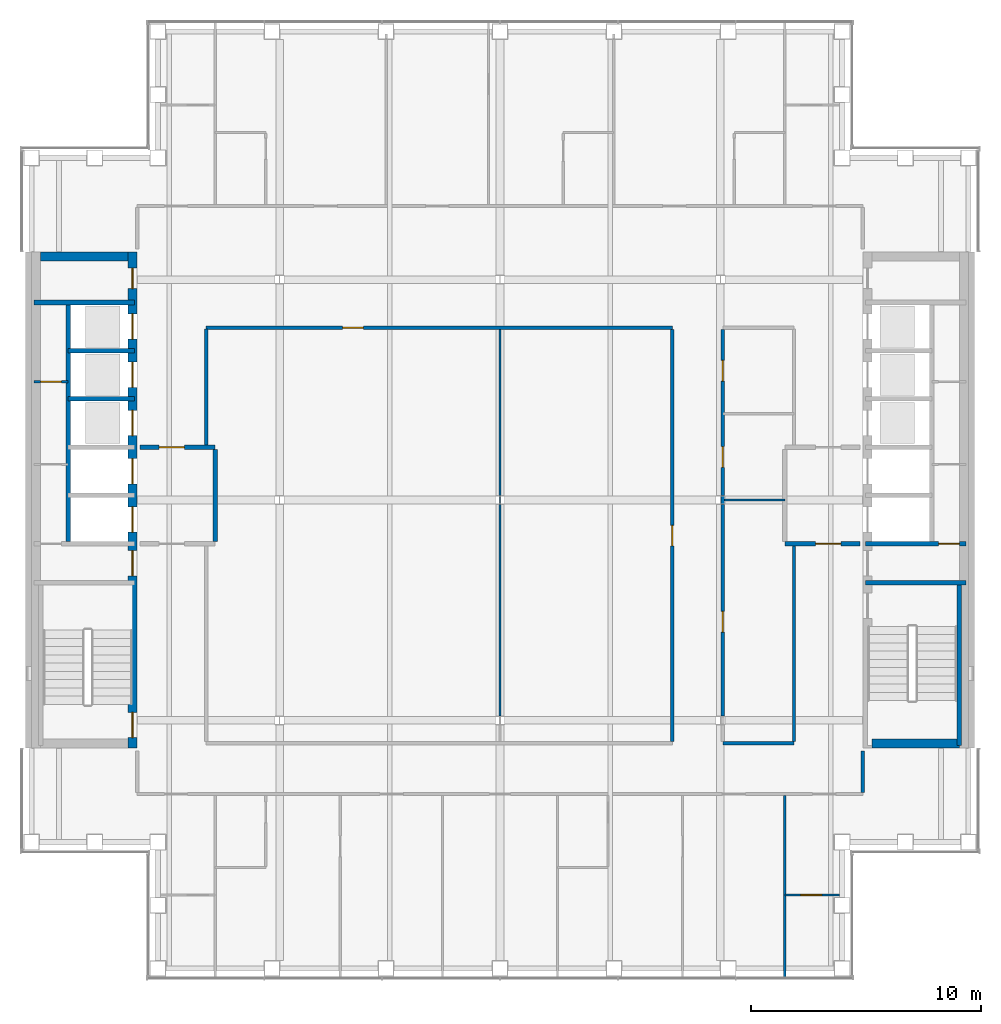
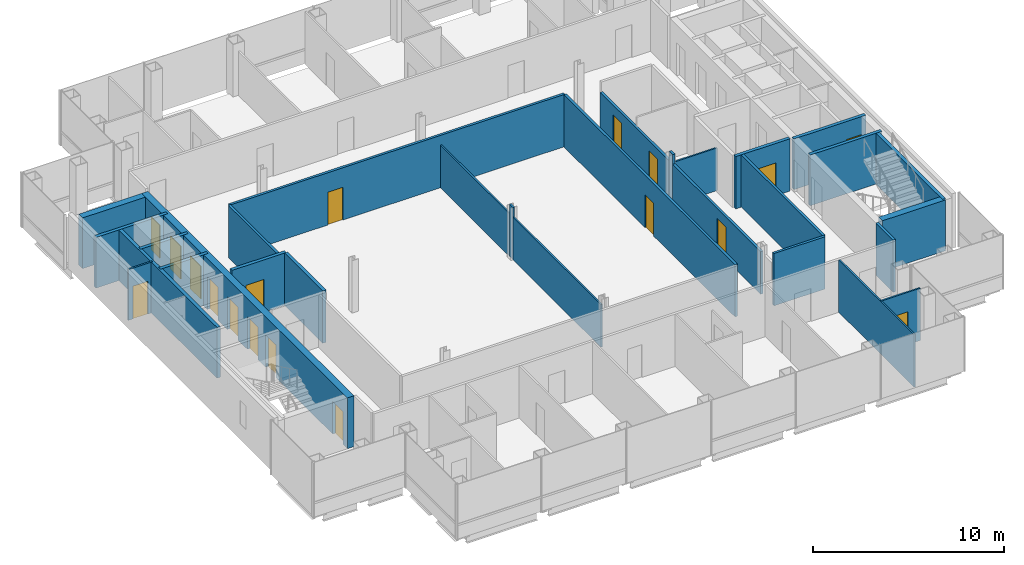
# One storey, part 11 of 15: 29 walls, 18 doors, 18 openings.
"""IFC4 building model written with IfcOpenShell, lengths in metres."""

from ifc_helpers import new_model, si_unit, direction, frame, frame_2d, origin, place, context, subcontext, project, spatial, rectangle, extrude, material, layer, layer_set, type_object, element, fill, save


model = new_model("IFC4")

# Units and contexts
model_context = context("Model", 3, precision=1e-05, world=origin(), true_north=direction((0.0, 1.0)))
body_context = subcontext(model_context, "Body", "Model", "MODEL_VIEW")
ifc_project = project(units=[si_unit("LENGTHUNIT", "METRE"), si_unit("AREAUNIT", "SQUARE_METRE"), si_unit("VOLUMEUNIT", "CUBIC_METRE"), si_unit("PLANEANGLEUNIT", "RADIAN"), si_unit("MASSUNIT", "GRAM", prefix="KILO")], contexts=[model_context])

# Site, building, storey
site_placement = place(None, origin())
site = spatial("IfcSite", under=ifc_project, at=site_placement, CompositionType="ELEMENT")
building_placement = place(site_placement, origin())
building = spatial("IfcBuilding", under=site, at=building_placement, Name="Cobrizo Arcos Hotel Tower", CompositionType="ELEMENT")
storey_placement = place(building_placement, frame((0.0, 0.0, 194.5)))
storey = spatial("IfcBuildingStorey", under=building, at=storey_placement, Name="L50", CompositionType="ELEMENT", Elevation=194.5)

# Wall
ifc_material_1 = material(Name="Gypsum board partition")
ifc_layer_1 = layer(ifc_material_1, 0.14990234375)
ifc_layer_set_1 = layer_set([ifc_layer_1], Name="Corridor wall EI 60 150")
wall_type_1 = type_object("IfcWallType", Name="Corridor wall EI 60 150", PredefinedType="PARTITIONING", material=ifc_layer_set_1)
wall_1_placement = place(storey_placement, frame((9.699951171875, -10.60009765625, 0.0), z_axis=(0.0, 0.0, 1.0), x_axis=(1.0, 0.0, 0.0)))
element("IfcWall", 1, at=wall_1_placement, inside=storey, type_object=wall_type_1, Name="Partition 007", PredefinedType="PARTITIONING", context=body_context, shape_type="SweptSolid", body=[
    extrude(rectangle(XDim=3.10009765625, YDim=0.14990234375, at=frame_2d((1.550048828125, 0.0))), origin(), (0.0, 0.0, 1.0), 3.35009765625),
])

# Wall, opening, door
wall_2_placement = place(storey_placement, frame((-12.800048828125, 7.5, 0.0), z_axis=(0.0, 0.0, 1.0), x_axis=(1.0, 0.0, 0.0)))
wall_2 = element("IfcWall", 2, at=wall_2_placement, inside=storey, type_object=wall_type_1, Name="Partition 030", PredefinedType="PARTITIONING", context=body_context, shape_type="SweptSolid", body=[
    extrude(rectangle(XDim=20.300048828125, YDim=0.14990234375, at=frame_2d((10.14990234375, 0.0))), origin(), (0.0, 0.0, 1.0), 3.35009765625),
])
opening_1_placement = place(wall_2_placement, frame((5.949951171875, 0.0, 0.0)))
opening_1 = element("IfcOpeningElement", 3, at=opening_1_placement, cuts=wall_2, Name="Opening RD-15", PredefinedType="OPENING", context=body_context, shape_type="SweptSolid", body=[
    extrude(rectangle(XDim=0.89990234375, YDim=2.10009765625, at=frame_2d((0.449951171875, 1.050048828125))), frame((0.0, 0.0869140625, 0.0), z_axis=(0.0, -1.0, 0.0), x_axis=(1.0, 0.0, 0.0)), (0.0, 0.0, 1.0), 0.173828125),
])
ifc_material_2 = material(Name="Timber door leaf", Category="wood")
door_type_1 = type_object("IfcDoorType", Name="Room door FD30 900x2100", OperationType="SINGLE_SWING_LEFT", PredefinedType="DOOR", material=ifc_material_2)
door_1_placement = place(opening_1_placement, origin())
door_1 = element("IfcDoor", 4, at=door_1_placement, inside=storey, type_object=door_type_1, Name="Door RD-15", OperationType="SINGLE_SWING_RIGHT", OverallHeight=2.10009765625, OverallWidth=0.89990234375, PredefinedType="DOOR", context=body_context, shape_type="SweptSolid", body=[
    extrude(rectangle(XDim=0.89990234375, YDim=2.10009765625, at=frame_2d((0.449951171875, 1.050048828125))), frame((0.0, 0.02490234375, 0.0), z_axis=(0.0, -1.0, 0.0), x_axis=(1.0, 0.0, 0.0)), (0.0, 0.0, 1.0), 0.050048828125),
])
fill(opening_1, door_1)

# Wall
wall_3_placement = place(storey_placement, frame((-12.800048828125, 2.39990234375, 0.0), z_axis=(0.0, 0.0, 1.0), x_axis=(0.0, 1.0, 0.0)))
element("IfcWall", 5, at=wall_3_placement, inside=storey, type_object=wall_type_1, Name="Partition 045", PredefinedType="PARTITIONING", context=body_context, shape_type="SweptSolid", body=[
    extrude(rectangle(XDim=5.050048828125, YDim=0.14990234375, at=frame_2d((2.52490234375, 0.0))), origin(), (0.0, 0.0, 1.0), 3.35009765625),
])

# Wall, opening, door
wall_4_placement = place(storey_placement, frame((7.5, -10.52490234375, 0.0), z_axis=(0.0, 0.0, 1.0), x_axis=(0.0, 1.0, 0.0)))
wall_4 = element("IfcWall", 6, at=wall_4_placement, inside=storey, type_object=wall_type_1, Name="Partition 064", PredefinedType="PARTITIONING", context=body_context, shape_type="SweptSolid", body=[
    extrude(rectangle(XDim=17.949951171875, YDim=0.14990234375, at=frame_2d((8.97509765625, 0.0))), origin(), (0.0, 0.0, 1.0), 3.35009765625),
])
opening_2_placement = place(wall_4_placement, frame((8.52490234375, 0.0, 0.0)))
opening_2 = element("IfcOpeningElement", 7, at=opening_2_placement, cuts=wall_4, Name="Opening RD-14", PredefinedType="OPENING", context=body_context, shape_type="SweptSolid", body=[
    extrude(rectangle(XDim=0.89990234375, YDim=2.10009765625, at=frame_2d((0.449951171875, 1.050048828125))), frame((0.0, 0.0869140625, 0.0), z_axis=(0.0, -1.0, 0.0), x_axis=(1.0, 0.0, 0.0)), (0.0, 0.0, 1.0), 0.173828125),
])
door_2_placement = place(opening_2_placement, origin())
door_2 = element("IfcDoor", 8, at=door_2_placement, inside=storey, type_object=door_type_1, Name="Door RD-14", OperationType="SINGLE_SWING_RIGHT", OverallHeight=2.10009765625, OverallWidth=0.89990234375, PredefinedType="DOOR", context=body_context, shape_type="SweptSolid", body=[
    extrude(rectangle(XDim=0.89990234375, YDim=2.10009765625, at=frame_2d((0.449951171875, 1.050048828125))), frame((0.0, 0.02490234375, 0.0), z_axis=(0.0, -1.0, 0.0), x_axis=(1.0, 0.0, 0.0)), (0.0, 0.0, 1.0), 0.050048828125),
])
fill(opening_2, door_2)

wall_5_placement = place(storey_placement, frame((9.699951171875, -9.4130859375, 0.0), z_axis=(0.0, 0.0, 1.0), x_axis=(0.0, 1.0, 0.0)))
wall_5 = element("IfcWall", 9, at=wall_5_placement, inside=storey, type_object=wall_type_1, Name="Partition 068", PredefinedType="PARTITIONING", context=body_context, shape_type="SweptSolid", body=[
    extrude(rectangle(XDim=9.22607421875, YDim=0.14990234375, at=frame_2d((4.613037109375, 0.0))), origin(), (0.0, 0.0, 1.0), 2.72802734375),
])
opening_3_placement = place(wall_5_placement, frame((3.6630859375, 0.0, 0.0)))
opening_3 = element("IfcOpeningElement", 10, at=opening_3_placement, cuts=wall_5, Name="Opening RD-13", PredefinedType="OPENING", context=body_context, shape_type="SweptSolid", body=[
    extrude(rectangle(XDim=0.89990234375, YDim=2.10009765625, at=frame_2d((0.449951171875, 1.050048828125))), frame((0.0, 0.0869140625, 0.0), z_axis=(0.0, -1.0, 0.0), x_axis=(1.0, 0.0, 0.0)), (0.0, 0.0, 1.0), 0.173828125),
])
door_3_placement = place(opening_3_placement, origin())
door_3 = element("IfcDoor", 11, at=door_3_placement, inside=storey, type_object=door_type_1, Name="Door RD-13", OperationType="SINGLE_SWING_LEFT", OverallHeight=2.10009765625, OverallWidth=0.89990234375, PredefinedType="DOOR", context=body_context, shape_type="SweptSolid", body=[
    extrude(rectangle(XDim=0.89990234375, YDim=2.10009765625, at=frame_2d((0.449951171875, 1.050048828125))), frame((0.0, 0.02490234375, 0.0), z_axis=(0.0, -1.0, 0.0), x_axis=(1.0, 0.0, 0.0)), (0.0, 0.0, 1.0), 0.050048828125),
])
fill(opening_3, door_3)

# Wall
wall_6_placement = place(storey_placement, frame((9.699951171875, -0.18701171875, 0.0), z_axis=(0.0, 0.0, 1.0), x_axis=(0.0, 1.0, 0.0)))
element("IfcWall", 12, at=wall_6_placement, inside=storey, type_object=wall_type_1, Name="Partition 069", PredefinedType="PARTITIONING", context=body_context, shape_type="SweptSolid", body=[
    extrude(rectangle(XDim=0.3740234375, YDim=0.14990234375, at=frame_2d((0.18701171875, 0.0))), origin(), (0.0, 0.0, 1.0), 3.35009765625),
])

# Wall, openings, doors
wall_7_placement = place(storey_placement, frame((9.699951171875, 0.18701171875, 0.0), z_axis=(0.0, 0.0, 1.0), x_axis=(0.0, 1.0, 0.0)))
wall_7 = element("IfcWall", 13, at=wall_7_placement, inside=storey, type_object=wall_type_1, Name="Partition 070", PredefinedType="PARTITIONING", context=body_context, shape_type="SweptSolid", body=[
    extrude(rectangle(XDim=7.238037109375, YDim=0.14990234375, at=frame_2d((3.619140625, 0.0))), origin(), (0.0, 0.0, 1.0), 2.72802734375),
])
opening_4_placement = place(wall_7_placement, frame((1.238037109375, 0.0, 0.0)))
opening_4 = element("IfcOpeningElement", 14, at=opening_4_placement, cuts=wall_7, Name="Opening ED-10", PredefinedType="OPENING", context=body_context, shape_type="SweptSolid", body=[
    extrude(rectangle(XDim=0.89990234375, YDim=2.10009765625, at=frame_2d((0.449951171875, 1.050048828125))), frame((0.0, 0.0869140625, 0.0), z_axis=(0.0, -1.0, 0.0), x_axis=(1.0, 0.0, 0.0)), (0.0, 0.0, 1.0), 0.173828125),
])
opening_5_placement = place(wall_7_placement, frame((4.988037109375, 0.0, 0.0)))
opening_5 = element("IfcOpeningElement", 15, at=opening_5_placement, cuts=wall_7, Name="Opening ED-11", PredefinedType="OPENING", context=body_context, shape_type="SweptSolid", body=[
    extrude(rectangle(XDim=0.89990234375, YDim=2.10009765625, at=frame_2d((0.449951171875, 1.050048828125))), frame((0.0, 0.0869140625, 0.0), z_axis=(0.0, -1.0, 0.0), x_axis=(1.0, 0.0, 0.0)), (0.0, 0.0, 1.0), 0.173828125),
])
door_type_2 = type_object("IfcDoorType", Name="En-suite door 900x2100", OperationType="SINGLE_SWING_LEFT", PredefinedType="DOOR", material=ifc_material_2)
door_4_placement = place(opening_4_placement, origin())
door_4 = element("IfcDoor", 16, at=door_4_placement, inside=storey, type_object=door_type_2, Name="Door ED-10", OperationType="SINGLE_SWING_RIGHT", OverallHeight=2.10009765625, OverallWidth=0.89990234375, PredefinedType="DOOR", context=body_context, shape_type="SweptSolid", body=[
    extrude(rectangle(XDim=0.89990234375, YDim=2.10009765625, at=frame_2d((0.449951171875, 1.050048828125))), frame((0.0, 0.02490234375, 0.0), z_axis=(0.0, -1.0, 0.0), x_axis=(1.0, 0.0, 0.0)), (0.0, 0.0, 1.0), 0.050048828125),
])
fill(opening_4, door_4)
door_5_placement = place(opening_5_placement, origin())
door_5 = element("IfcDoor", 17, at=door_5_placement, inside=storey, type_object=door_type_2, Name="Door ED-11", OperationType="SINGLE_SWING_LEFT", OverallHeight=2.10009765625, OverallWidth=0.89990234375, PredefinedType="DOOR", context=body_context, shape_type="SweptSolid", body=[
    extrude(rectangle(XDim=0.89990234375, YDim=2.10009765625, at=frame_2d((0.449951171875, 1.050048828125))), frame((0.0, 0.02490234375, 0.0), z_axis=(0.0, -1.0, 0.0), x_axis=(1.0, 0.0, 0.0)), (0.0, 0.0, 1.0), 0.050048828125),
])
fill(opening_5, door_5)

# Walls
wall_8_placement = place(storey_placement, frame((12.800048828125, -10.52490234375, 0.0), z_axis=(0.0, 0.0, 1.0), x_axis=(0.0, 1.0, 0.0)))
element("IfcWall", 18, at=wall_8_placement, inside=storey, type_object=wall_type_1, Name="Partition 075", PredefinedType="PARTITIONING", context=body_context, shape_type="SweptSolid", body=[
    extrude(rectangle(XDim=8.52490234375, YDim=0.14990234375, at=frame_2d((4.262451171875, 0.0))), origin(), (0.0, 0.0, 1.0), 3.35009765625),
])
wall_9_placement = place(storey_placement, frame((15.800048828125, -12.72509765625, 0.0), z_axis=(0.0, 0.0, 1.0), x_axis=(0.0, 1.0, 0.0)))
element("IfcWall", 19, at=wall_9_placement, inside=storey, type_object=wall_type_1, Name="Partition 077", PredefinedType="PARTITIONING", context=body_context, shape_type="SweptSolid", body=[
    extrude(rectangle(XDim=1.80517578125, YDim=0.14990234375, at=frame_2d((0.902587890625, 0.0))), origin(), (0.0, 0.0, 1.0), 3.35009765625),
])

# Wall, opening, door
ifc_layer_2 = layer(ifc_material_1, 0.10009765625)
ifc_layer_set_2 = layer_set([ifc_layer_2], Name="Partition EI 30 100")
wall_type_2 = type_object("IfcWallType", Name="Partition EI 30 100", PredefinedType="PARTITIONING", material=ifc_layer_set_2)
wall_10_placement = place(storey_placement, frame((12.39990234375, -17.199951171875, 0.0), z_axis=(0.0, 0.0, 1.0), x_axis=(1.0, 0.0, 0.0)))
wall_10 = element("IfcWall", 20, at=wall_10_placement, inside=storey, type_object=wall_type_2, Name="Partition 002", PredefinedType="PARTITIONING", context=body_context, shape_type="SweptSolid", body=[
    extrude(rectangle(XDim=2.380126953125, YDim=0.10009765625, at=frame_2d((1.18994140625, 0.0))), origin(), (0.0, 0.0, 1.0), 3.35009765625),
])
opening_6_placement = place(wall_10_placement, frame((0.705078125, 0.0, 0.0)))
opening_6 = element("IfcOpeningElement", 21, at=opening_6_placement, cuts=wall_10, Name="Opening ED-08", PredefinedType="OPENING", context=body_context, shape_type="SweptSolid", body=[
    extrude(rectangle(XDim=0.89990234375, YDim=2.10009765625, at=frame_2d((0.449951171875, 1.050048828125))), frame((0.0, 0.06201171875, 0.0), z_axis=(0.0, -1.0, 0.0), x_axis=(1.0, 0.0, 0.0)), (0.0, 0.0, 1.0), 0.1240234375),
])
door_6_placement = place(opening_6_placement, origin())
door_6 = element("IfcDoor", 22, at=door_6_placement, inside=storey, type_object=door_type_2, Name="Door ED-08", OperationType="SINGLE_SWING_RIGHT", OverallHeight=2.10009765625, OverallWidth=0.89990234375, PredefinedType="DOOR", context=body_context, shape_type="SweptSolid", body=[
    extrude(rectangle(XDim=0.89990234375, YDim=2.10009765625, at=frame_2d((0.449951171875, 1.050048828125))), frame((0.0, 0.02490234375, 0.0), z_axis=(0.0, -1.0, 0.0), x_axis=(1.0, 0.0, 0.0)), (0.0, 0.0, 1.0), 0.050048828125),
])
fill(opening_6, door_6)

# Wall
wall_11_placement = place(storey_placement, frame((9.699951171875, 0.0, 0.0), z_axis=(0.0, 0.0, 1.0), x_axis=(1.0, 0.0, 0.0)))
element("IfcWall", 23, at=wall_11_placement, inside=storey, type_object=wall_type_2, Name="Partition 014", PredefinedType="PARTITIONING", context=body_context, shape_type="SweptSolid", body=[
    extrude(rectangle(XDim=2.699951171875, YDim=0.10009765625, at=frame_2d((1.35009765625, 0.0))), origin(), (0.0, 0.0, 1.0), 2.72802734375),
])

# Wall, opening, door
wall_12_placement = place(storey_placement, frame((-20.280029296875, 5.14990234375, 0.0), z_axis=(0.0, 0.0, 1.0), x_axis=(1.0, 0.0, 0.0)))
wall_12 = element("IfcWall", 24, at=wall_12_placement, inside=storey, type_object=wall_type_2, Name="Partition 026", PredefinedType="PARTITIONING", context=body_context, shape_type="SweptSolid", body=[
    extrude(rectangle(XDim=1.47998046875, YDim=0.10009765625, at=frame_2d((0.739990234375, 0.0))), origin(), (0.0, 0.0, 1.0), 3.25),
])
opening_7_placement = place(wall_12_placement, frame((0.280029296875, 0.0, 0.0)))
opening_7 = element("IfcOpeningElement", 25, at=opening_7_placement, cuts=wall_12, Name="Opening RD-04", PredefinedType="OPENING", context=body_context, shape_type="SweptSolid", body=[
    extrude(rectangle(XDim=0.89990234375, YDim=2.10009765625, at=frame_2d((0.449951171875, 1.050048828125))), frame((0.0, 0.06201171875, 0.0), z_axis=(0.0, -1.0, 0.0), x_axis=(1.0, 0.0, 0.0)), (0.0, 0.0, 1.0), 0.1240234375),
])
door_7_placement = place(opening_7_placement, origin())
door_7 = element("IfcDoor", 26, at=door_7_placement, inside=storey, type_object=door_type_1, Name="Door RD-04", OperationType="SINGLE_SWING_RIGHT", OverallHeight=2.10009765625, OverallWidth=0.89990234375, PredefinedType="DOOR", context=body_context, shape_type="SweptSolid", body=[
    extrude(rectangle(XDim=0.89990234375, YDim=2.10009765625, at=frame_2d((0.449951171875, 1.050048828125))), frame((0.0, 0.02490234375, 0.0), z_axis=(0.0, -1.0, 0.0), x_axis=(1.0, 0.0, 0.0)), (0.0, 0.0, 1.0), 0.050048828125),
])
fill(opening_7, door_7)

# Walls
wall_13_placement = place(storey_placement, frame((0.0, -9.4130859375, 0.0), z_axis=(0.0, 0.0, 1.0), x_axis=(0.0, 1.0, 0.0)))
element("IfcWall", 27, at=wall_13_placement, inside=storey, type_object=wall_type_2, Name="Partition 057", PredefinedType="PARTITIONING", context=body_context, shape_type="SweptSolid", body=[
    extrude(rectangle(XDim=9.22607421875, YDim=0.10009765625, at=frame_2d((4.613037109375, 0.0))), origin(), (0.0, 0.0, 1.0), 2.72802734375),
])
wall_14_placement = place(storey_placement, frame((0.0, -0.18701171875, 0.0), z_axis=(0.0, 0.0, 1.0), x_axis=(0.0, 1.0, 0.0)))
element("IfcWall", 28, at=wall_14_placement, inside=storey, type_object=wall_type_2, Name="Partition 058", PredefinedType="PARTITIONING", context=body_context, shape_type="SweptSolid", body=[
    extrude(rectangle(XDim=0.3740234375, YDim=0.10009765625, at=frame_2d((0.18701171875, 0.0))), origin(), (0.0, 0.0, 1.0), 3.35009765625),
])
wall_15_placement = place(storey_placement, frame((0.0, 0.18701171875, 0.0), z_axis=(0.0, 0.0, 1.0), x_axis=(0.0, 1.0, 0.0)))
element("IfcWall", 29, at=wall_15_placement, inside=storey, type_object=wall_type_2, Name="Partition 059", PredefinedType="PARTITIONING", context=body_context, shape_type="SweptSolid", body=[
    extrude(rectangle(XDim=7.238037109375, YDim=0.10009765625, at=frame_2d((3.619140625, 0.0))), origin(), (0.0, 0.0, 1.0), 2.72802734375),
])
wall_16_placement = place(storey_placement, frame((12.39990234375, -20.780029296875, 0.0), z_axis=(0.0, 0.0, 1.0), x_axis=(0.0, 1.0, 0.0)))
element("IfcWall", 30, at=wall_16_placement, inside=storey, type_object=wall_type_2, Name="Partition 072", PredefinedType="PARTITIONING", context=body_context, shape_type="SweptSolid", body=[
    extrude(rectangle(XDim=7.905029296875, YDim=0.10009765625, at=frame_2d((3.95263671875, 0.0))), origin(), (0.0, 0.0, 1.0), 3.35009765625),
])
ifc_material_3 = material(Name="Concrete f'c 40 MPa", Category="concrete")
ifc_layer_3 = layer(ifc_material_3, 0.39990234375)
ifc_layer_set_3 = layer_set([ifc_layer_3], Name="RC core wall 400 f'c 40")
wall_type_3 = type_object("IfcWallType", Name="RC core wall 400 f'c 40", PredefinedType="SHEAR", material=ifc_layer_set_3)
wall_17_placement = place(storey_placement, frame((16.199951171875, -10.60009765625, 0.0), z_axis=(0.0, 0.0, 1.0), x_axis=(1.0, 0.0, 0.0)))
element("IfcWall", 31, at=wall_17_placement, inside=storey, type_object=wall_type_3, Name="Core wall CW4, east core, south end, L50", PredefinedType="SHEAR", context=body_context, shape_type="SweptSolid", body=[
    extrude(rectangle(XDim=3.800048828125, YDim=0.39990234375, at=frame_2d((1.89990234375, 0.0))), origin(), (0.0, 0.0, 1.0), 3.25),
])

# Wall, openings, doors
wall_18_placement = place(storey_placement, frame((-16.0, -10.800048828125, 0.0), z_axis=(0.0, 0.0, 1.0), x_axis=(0.0, 1.0, 0.0)))
wall_18 = element("IfcWall", 32, at=wall_18_placement, inside=storey, type_object=wall_type_3, Name="Core wall CW4, west core, inner face, L50", PredefinedType="SHEAR", context=body_context, shape_type="SweptSolid", body=[
    extrude(rectangle(XDim=21.60009765625, YDim=0.39990234375, at=frame_2d((10.800048828125, 0.0))), origin(), (0.0, 0.0, 1.0), 3.25),
])
opening_8_placement = place(wall_18_placement, frame((9.39990234375, 0.0, 0.0)))
opening_8 = element("IfcOpeningElement", 33, at=opening_8_placement, cuts=wall_18, Name="Opening LD-01", PredefinedType="OPENING", context=body_context, shape_type="SweptSolid", body=[
    extrude(rectangle(XDim=1.10009765625, YDim=2.10009765625, at=frame_2d((0.550048828125, 1.050048828125))), frame((0.0, 0.2119140625, 0.0), z_axis=(0.0, -1.0, 0.0), x_axis=(1.0, 0.0, 0.0)), (0.0, 0.0, 1.0), 0.423828125),
])
opening_9_placement = place(wall_18_placement, frame((11.5, 0.0, 0.0)))
opening_9 = element("IfcOpeningElement", 34, at=opening_9_placement, cuts=wall_18, Name="Opening LD-02", PredefinedType="OPENING", context=body_context, shape_type="SweptSolid", body=[
    extrude(rectangle(XDim=1.10009765625, YDim=2.10009765625, at=frame_2d((0.550048828125, 1.050048828125))), frame((0.0, 0.2119140625, 0.0), z_axis=(0.0, -1.0, 0.0), x_axis=(1.0, 0.0, 0.0)), (0.0, 0.0, 1.0), 0.423828125),
])
opening_10_placement = place(wall_18_placement, frame((13.60009765625, 0.0, 0.0)))
opening_10 = element("IfcOpeningElement", 35, at=opening_10_placement, cuts=wall_18, Name="Opening LD-03", PredefinedType="OPENING", context=body_context, shape_type="SweptSolid", body=[
    extrude(rectangle(XDim=1.10009765625, YDim=2.10009765625, at=frame_2d((0.550048828125, 1.050048828125))), frame((0.0, 0.2119140625, 0.0), z_axis=(0.0, -1.0, 0.0), x_axis=(1.0, 0.0, 0.0)), (0.0, 0.0, 1.0), 0.423828125),
])
opening_11_placement = place(wall_18_placement, frame((15.699951171875, 0.0, 0.0)))
opening_11 = element("IfcOpeningElement", 36, at=opening_11_placement, cuts=wall_18, Name="Opening LD-04", PredefinedType="OPENING", context=body_context, shape_type="SweptSolid", body=[
    extrude(rectangle(XDim=1.10009765625, YDim=2.10009765625, at=frame_2d((0.550048828125, 1.050048828125))), frame((0.0, 0.2119140625, 0.0), z_axis=(0.0, -1.0, 0.0), x_axis=(1.0, 0.0, 0.0)), (0.0, 0.0, 1.0), 0.423828125),
])
opening_12_placement = place(wall_18_placement, frame((17.800048828125, 0.0, 0.0)))
opening_12 = element("IfcOpeningElement", 37, at=opening_12_placement, cuts=wall_18, Name="Opening LD-05", PredefinedType="OPENING", context=body_context, shape_type="SweptSolid", body=[
    extrude(rectangle(XDim=1.10009765625, YDim=2.10009765625, at=frame_2d((0.550048828125, 1.050048828125))), frame((0.0, 0.2119140625, 0.0), z_axis=(0.0, -1.0, 0.0), x_axis=(1.0, 0.0, 0.0)), (0.0, 0.0, 1.0), 0.423828125),
])
opening_13_placement = place(wall_18_placement, frame((0.4580078125, 0.0, 0.0)))
opening_13 = element("IfcOpeningElement", 38, at=opening_13_placement, cuts=wall_18, Name="Opening SD-01", PredefinedType="OPENING", context=body_context, shape_type="SweptSolid", body=[
    extrude(rectangle(XDim=1.10009765625, YDim=2.10009765625, at=frame_2d((0.550048828125, 1.050048828125))), frame((0.0, 0.2119140625, 0.0), z_axis=(0.0, -1.0, 0.0), x_axis=(1.0, 0.0, 0.0)), (0.0, 0.0, 1.0), 0.423828125),
])
opening_14_placement = place(wall_18_placement, frame((7.5, 0.0, 0.0)))
opening_14 = element("IfcOpeningElement", 39, at=opening_14_placement, cuts=wall_18, Name="Opening FD-01", PredefinedType="OPENING", context=body_context, shape_type="SweptSolid", body=[
    extrude(rectangle(XDim=1.10009765625, YDim=2.10009765625, at=frame_2d((0.550048828125, 1.050048828125))), frame((0.0, 0.2119140625, 0.0), z_axis=(0.0, -1.0, 0.0), x_axis=(1.0, 0.0, 0.0)), (0.0, 0.0, 1.0), 0.423828125),
])
opening_15_placement = place(wall_18_placement, frame((20.0, 0.0, 0.0)))
opening_15 = element("IfcOpeningElement", 40, at=opening_15_placement, cuts=wall_18, Name="Opening RD-01", PredefinedType="OPENING", context=body_context, shape_type="SweptSolid", body=[
    extrude(rectangle(XDim=0.89990234375, YDim=2.10009765625, at=frame_2d((0.449951171875, 1.050048828125))), frame((0.0, 0.2119140625, 0.0), z_axis=(0.0, -1.0, 0.0), x_axis=(1.0, 0.0, 0.0)), (0.0, 0.0, 1.0), 0.423828125),
])
ifc_material_4 = material(Name="Steel door leaf", Category="steel")
door_type_3 = type_object("IfcDoorType", Name="Fire door FD60 1100x2100", OperationType="SINGLE_SWING_LEFT", PredefinedType="DOOR", material=ifc_material_4)
door_8_placement = place(opening_14_placement, origin())
door_8 = element("IfcDoor", 41, at=door_8_placement, inside=storey, type_object=door_type_3, Name="Door FD-01", OperationType="SINGLE_SWING_RIGHT", OverallHeight=2.10009765625, OverallWidth=1.10009765625, PredefinedType="DOOR", context=body_context, shape_type="SweptSolid", body=[
    extrude(rectangle(XDim=1.10009765625, YDim=2.10009765625, at=frame_2d((0.550048828125, 1.050048828125))), frame((0.0, 0.02490234375, 0.0), z_axis=(0.0, -1.0, 0.0), x_axis=(1.0, 0.0, 0.0)), (0.0, 0.0, 1.0), 0.050048828125),
])
fill(opening_14, door_8)
door_type_4 = type_object("IfcDoorType", Name="Lift landing door 1100x2100", OperationType="SLIDING_TO_LEFT", PredefinedType="DOOR", material=ifc_material_4)
door_9_placement = place(opening_8_placement, origin())
door_9 = element("IfcDoor", 42, at=door_9_placement, inside=storey, type_object=door_type_4, Name="Lift landing door LD-01", OperationType="SLIDING_TO_LEFT", OverallHeight=2.10009765625, OverallWidth=1.10009765625, PredefinedType="DOOR", context=body_context, shape_type="SweptSolid", body=[
    extrude(rectangle(XDim=1.10009765625, YDim=2.10009765625, at=frame_2d((0.550048828125, 1.050048828125))), frame((0.0, 0.02490234375, 0.0), z_axis=(0.0, -1.0, 0.0), x_axis=(1.0, 0.0, 0.0)), (0.0, 0.0, 1.0), 0.050048828125),
])
fill(opening_8, door_9)
door_10_placement = place(opening_9_placement, origin())
door_10 = element("IfcDoor", 43, at=door_10_placement, inside=storey, type_object=door_type_4, Name="Lift landing door LD-02", OperationType="SLIDING_TO_LEFT", OverallHeight=2.10009765625, OverallWidth=1.10009765625, PredefinedType="DOOR", context=body_context, shape_type="SweptSolid", body=[
    extrude(rectangle(XDim=1.10009765625, YDim=2.10009765625, at=frame_2d((0.550048828125, 1.050048828125))), frame((0.0, 0.02490234375, 0.0), z_axis=(0.0, -1.0, 0.0), x_axis=(1.0, 0.0, 0.0)), (0.0, 0.0, 1.0), 0.050048828125),
])
fill(opening_9, door_10)
door_11_placement = place(opening_10_placement, origin())
door_11 = element("IfcDoor", 44, at=door_11_placement, inside=storey, type_object=door_type_4, Name="Lift landing door LD-03", OperationType="SLIDING_TO_LEFT", OverallHeight=2.10009765625, OverallWidth=1.10009765625, PredefinedType="DOOR", context=body_context, shape_type="SweptSolid", body=[
    extrude(rectangle(XDim=1.10009765625, YDim=2.10009765625, at=frame_2d((0.550048828125, 1.050048828125))), frame((0.0, 0.02490234375, 0.0), z_axis=(0.0, -1.0, 0.0), x_axis=(1.0, 0.0, 0.0)), (0.0, 0.0, 1.0), 0.050048828125),
])
fill(opening_10, door_11)
door_12_placement = place(opening_11_placement, origin())
door_12 = element("IfcDoor", 45, at=door_12_placement, inside=storey, type_object=door_type_4, Name="Lift landing door LD-04", OperationType="SLIDING_TO_LEFT", OverallHeight=2.10009765625, OverallWidth=1.10009765625, PredefinedType="DOOR", context=body_context, shape_type="SweptSolid", body=[
    extrude(rectangle(XDim=1.10009765625, YDim=2.10009765625, at=frame_2d((0.550048828125, 1.050048828125))), frame((0.0, 0.02490234375, 0.0), z_axis=(0.0, -1.0, 0.0), x_axis=(1.0, 0.0, 0.0)), (0.0, 0.0, 1.0), 0.050048828125),
])
fill(opening_11, door_12)
door_13_placement = place(opening_12_placement, origin())
door_13 = element("IfcDoor", 46, at=door_13_placement, inside=storey, type_object=door_type_4, Name="Lift landing door LD-05", OperationType="SLIDING_TO_LEFT", OverallHeight=2.10009765625, OverallWidth=1.10009765625, PredefinedType="DOOR", context=body_context, shape_type="SweptSolid", body=[
    extrude(rectangle(XDim=1.10009765625, YDim=2.10009765625, at=frame_2d((0.550048828125, 1.050048828125))), frame((0.0, 0.02490234375, 0.0), z_axis=(0.0, -1.0, 0.0), x_axis=(1.0, 0.0, 0.0)), (0.0, 0.0, 1.0), 0.050048828125),
])
fill(opening_12, door_13)
door_14_placement = place(opening_15_placement, origin())
door_14 = element("IfcDoor", 47, at=door_14_placement, inside=storey, type_object=door_type_1, Name="Door RD-01", OperationType="SINGLE_SWING_LEFT", OverallHeight=2.10009765625, OverallWidth=0.89990234375, PredefinedType="DOOR", context=body_context, shape_type="SweptSolid", body=[
    extrude(rectangle(XDim=0.89990234375, YDim=2.10009765625, at=frame_2d((0.449951171875, 1.050048828125))), frame((0.0, 0.02490234375, 0.0), z_axis=(0.0, -1.0, 0.0), x_axis=(1.0, 0.0, 0.0)), (0.0, 0.0, 1.0), 0.050048828125),
])
fill(opening_15, door_14)
door_type_5 = type_object("IfcDoorType", Name="Stair door FD60S 1100x2100", OperationType="SINGLE_SWING_LEFT", PredefinedType="DOOR", material=ifc_material_4)
door_15_placement = place(opening_13_placement, origin())
door_15 = element("IfcDoor", 48, at=door_15_placement, inside=storey, type_object=door_type_5, Name="Door SD-01", OperationType="SINGLE_SWING_LEFT", OverallHeight=2.10009765625, OverallWidth=1.10009765625, PredefinedType="DOOR", context=body_context, shape_type="SweptSolid", body=[
    extrude(rectangle(XDim=1.10009765625, YDim=2.10009765625, at=frame_2d((0.550048828125, 1.050048828125))), frame((0.0, 0.02490234375, 0.0), z_axis=(0.0, -1.0, 0.0), x_axis=(1.0, 0.0, 0.0)), (0.0, 0.0, 1.0), 0.050048828125),
])
fill(opening_13, door_15)

# Wall
wall_19_placement = place(storey_placement, frame((-20.0, 10.60009765625, 0.0), z_axis=(0.0, 0.0, 1.0), x_axis=(1.0, 0.0, 0.0)))
element("IfcWall", 49, at=wall_19_placement, inside=storey, type_object=wall_type_3, Name="Core wall CW4, west core, north end, L50", PredefinedType="SHEAR", context=body_context, shape_type="SweptSolid", body=[
    extrude(rectangle(XDim=3.800048828125, YDim=0.39990234375, at=frame_2d((1.89990234375, 0.0))), origin(), (0.0, 0.0, 1.0), 3.25),
])

# Wall, opening, door
ifc_layer_4 = layer(ifc_material_1, 0.199951171875)
ifc_layer_set_4 = layer_set([ifc_layer_4], Name="Shaft wall EI 120 200")
wall_type_4 = type_object("IfcWallType", Name="Shaft wall EI 120 200", PredefinedType="PARTITIONING", material=ifc_layer_set_4)
wall_20_placement = place(storey_placement, frame((12.39990234375, -1.89990234375, 0.0), z_axis=(0.0, 0.0, 1.0), x_axis=(1.0, 0.0, 0.0)))
wall_20 = element("IfcWall", 50, at=wall_20_placement, inside=storey, type_object=wall_type_4, Name="Partition 012", PredefinedType="PARTITIONING", context=body_context, shape_type="SweptSolid", body=[
    extrude(rectangle(XDim=3.280029296875, YDim=0.199951171875, at=frame_2d((1.64013671875, 0.0))), origin(), (0.0, 0.0, 1.0), 3.35009765625),
])
opening_16_placement = place(wall_20_placement, frame((1.340087890625, 0.0, 0.0)))
opening_16 = element("IfcOpeningElement", 51, at=opening_16_placement, cuts=wall_20, Name="Opening FD-06", PredefinedType="OPENING", context=body_context, shape_type="SweptSolid", body=[
    extrude(rectangle(XDim=1.10009765625, YDim=2.10009765625, at=frame_2d((0.550048828125, 1.050048828125))), frame((0.0, 0.112060546875, 0.0), z_axis=(0.0, -1.0, 0.0), x_axis=(1.0, 0.0, 0.0)), (0.0, 0.0, 1.0), 0.223876953125),
])
door_16_placement = place(opening_16_placement, origin())
door_16 = element("IfcDoor", 52, at=door_16_placement, inside=storey, type_object=door_type_3, Name="Door FD-06", OperationType="SINGLE_SWING_RIGHT", OverallHeight=2.10009765625, OverallWidth=1.10009765625, PredefinedType="DOOR", context=body_context, shape_type="SweptSolid", body=[
    extrude(rectangle(XDim=1.10009765625, YDim=2.10009765625, at=frame_2d((0.550048828125, 1.050048828125))), frame((0.0, 0.02490234375, 0.0), z_axis=(0.0, -1.0, 0.0), x_axis=(1.0, 0.0, 0.0)), (0.0, 0.0, 1.0), 0.050048828125),
])
fill(opening_16, door_16)

wall_21_placement = place(storey_placement, frame((15.919921875, -1.89990234375, 0.0), z_axis=(0.0, 0.0, 1.0), x_axis=(1.0, 0.0, 0.0)))
wall_21 = element("IfcWall", 53, at=wall_21_placement, inside=storey, type_object=wall_type_4, Name="Partition 013", PredefinedType="PARTITIONING", context=body_context, shape_type="SweptSolid", body=[
    extrude(rectangle(XDim=4.360107421875, YDim=0.199951171875, at=frame_2d((2.18017578125, 0.0))), origin(), (0.0, 0.0, 1.0), 3.25),
])
opening_17_placement = place(wall_21_placement, frame((3.179931640625, 0.0, 0.0)))
opening_17 = element("IfcOpeningElement", 54, at=opening_17_placement, cuts=wall_21, Name="Opening RD-06", PredefinedType="OPENING", context=body_context, shape_type="SweptSolid", body=[
    extrude(rectangle(XDim=0.89990234375, YDim=2.10009765625, at=frame_2d((0.449951171875, 1.050048828125))), frame((0.0, 0.112060546875, 0.0), z_axis=(0.0, -1.0, 0.0), x_axis=(1.0, 0.0, 0.0)), (0.0, 0.0, 1.0), 0.223876953125),
])
door_17_placement = place(opening_17_placement, origin())
door_17 = element("IfcDoor", 55, at=door_17_placement, inside=storey, type_object=door_type_1, Name="Door RD-06", OperationType="SINGLE_SWING_RIGHT", OverallHeight=2.10009765625, OverallWidth=0.89990234375, PredefinedType="DOOR", context=body_context, shape_type="SweptSolid", body=[
    extrude(rectangle(XDim=0.89990234375, YDim=2.10009765625, at=frame_2d((0.449951171875, 1.050048828125))), frame((0.0, 0.02490234375, 0.0), z_axis=(0.0, -1.0, 0.0), x_axis=(1.0, 0.0, 0.0)), (0.0, 0.0, 1.0), 0.050048828125),
])
fill(opening_17, door_17)

wall_22_placement = place(storey_placement, frame((-15.679931640625, 2.300048828125, 0.0), z_axis=(0.0, 0.0, 1.0), x_axis=(1.0, 0.0, 0.0)))
wall_22 = element("IfcWall", 56, at=wall_22_placement, inside=storey, type_object=wall_type_4, Name="Partition 020", PredefinedType="PARTITIONING", context=body_context, shape_type="SweptSolid", body=[
    extrude(rectangle(XDim=3.280029296875, YDim=0.199951171875, at=frame_2d((1.64013671875, 0.0))), origin(), (0.0, 0.0, 1.0), 3.35009765625),
])
opening_18_placement = place(wall_22_placement, frame((0.840087890625, 0.0, 0.0)))
opening_18 = element("IfcOpeningElement", 57, at=opening_18_placement, cuts=wall_22, Name="Opening FD-02", PredefinedType="OPENING", context=body_context, shape_type="SweptSolid", body=[
    extrude(rectangle(XDim=1.10009765625, YDim=2.10009765625, at=frame_2d((0.550048828125, 1.050048828125))), frame((0.0, 0.112060546875, 0.0), z_axis=(0.0, -1.0, 0.0), x_axis=(1.0, 0.0, 0.0)), (0.0, 0.0, 1.0), 0.223876953125),
])
door_18_placement = place(opening_18_placement, origin())
door_18 = element("IfcDoor", 58, at=door_18_placement, inside=storey, type_object=door_type_3, Name="Door FD-02", OperationType="SINGLE_SWING_LEFT", OverallHeight=2.10009765625, OverallWidth=1.10009765625, PredefinedType="DOOR", context=body_context, shape_type="SweptSolid", body=[
    extrude(rectangle(XDim=1.10009765625, YDim=2.10009765625, at=frame_2d((0.550048828125, 1.050048828125))), frame((0.0, 0.02490234375, 0.0), z_axis=(0.0, -1.0, 0.0), x_axis=(1.0, 0.0, 0.0)), (0.0, 0.0, 1.0), 0.050048828125),
])
fill(opening_18, door_18)

# Walls
for number, where, z_axis, x_axis, name in (
    (59, (-18.800048828125, 4.39990234375, 0.0), (0.0, 0.0, 1.0), (1.0, 0.0, 0.0), "Partition 024"),
    (60, (-18.800048828125, 6.5, 0.0), (0.0, 0.0, 1.0), (1.0, 0.0, 0.0), "Partition 028"),
):
    element("IfcWall", number, at=place(storey_placement, frame(where, z_axis=z_axis, x_axis=x_axis)), inside=storey, type_object=wall_type_4, Name=name, PredefinedType="PARTITIONING", context=body_context, shape_type="SweptSolid", body=[
        extrude(rectangle(XDim=2.880126953125, YDim=0.199951171875, at=frame_2d((1.43994140625, 0.0))), origin(), (0.0, 0.0, 1.0), 3.25),
    ])
wall_23_placement = place(storey_placement, frame((-20.280029296875, 8.60009765625, 0.0), z_axis=(0.0, 0.0, 1.0), x_axis=(1.0, 0.0, 0.0)))
element("IfcWall", 61, at=wall_23_placement, inside=storey, type_object=wall_type_4, Name="Partition 032", PredefinedType="PARTITIONING", context=body_context, shape_type="SweptSolid", body=[
    extrude(rectangle(XDim=4.360107421875, YDim=0.199951171875, at=frame_2d((2.18017578125, 0.0))), origin(), (0.0, 0.0, 1.0), 3.25),
])
wall_24_placement = place(storey_placement, frame((-18.800048828125, -1.800048828125, 0.0), z_axis=(0.0, 0.0, 1.0), x_axis=(0.0, 1.0, 0.0)))
element("IfcWall", 62, at=wall_24_placement, inside=storey, type_object=wall_type_4, Name="Partition 041", PredefinedType="PARTITIONING", context=body_context, shape_type="SweptSolid", body=[
    extrude(rectangle(XDim=10.300048828125, YDim=0.199951171875, at=frame_2d((5.14990234375, 0.0))), origin(), (0.0, 0.0, 1.0), 3.25),
])
wall_25_placement = place(storey_placement, frame((-12.39990234375, -1.800048828125, 0.0), z_axis=(0.0, 0.0, 1.0), x_axis=(0.0, 1.0, 0.0)))
element("IfcWall", 63, at=wall_25_placement, inside=storey, type_object=wall_type_4, Name="Partition 047", PredefinedType="PARTITIONING", context=body_context, shape_type="SweptSolid", body=[
    extrude(rectangle(XDim=4.0, YDim=0.199951171875, at=frame_2d((2.0, 0.0))), origin(), (0.0, 0.0, 1.0), 3.35009765625),
])
ifc_layer_5 = layer(ifc_material_3, 0.199951171875)
ifc_layer_set_5 = layer_set([ifc_layer_5], Name="Stair shaft wall 200")
wall_type_5 = type_object("IfcWallType", Name="Stair shaft wall 200", PredefinedType="SHEAR", material=ifc_layer_set_5)
wall_26_placement = place(storey_placement, frame((15.919921875, -3.60009765625, 0.0), z_axis=(0.0, 0.0, 1.0), x_axis=(1.0, 0.0, 0.0)))
element("IfcWall", 64, at=wall_26_placement, inside=storey, type_object=wall_type_5, Name="Stair shaft wall E", PredefinedType="SHEAR", context=body_context, shape_type="SweptSolid", body=[
    extrude(rectangle(XDim=4.360107421875, YDim=0.199951171875, at=frame_2d((2.18017578125, 0.0))), origin(), (0.0, 0.0, 1.0), 3.25),
])
wall_27_placement = place(storey_placement, frame((20.0, -10.679931640625, 0.0), z_axis=(0.0, 0.0, 1.0), x_axis=(0.0, 1.0, 0.0)))
element("IfcWall", 65, at=wall_27_placement, inside=storey, type_object=wall_type_5, Name="Stair shaft wall E", PredefinedType="SHEAR", context=body_context, shape_type="SweptSolid", body=[
    extrude(rectangle(XDim=6.97998046875, YDim=0.199951171875, at=frame_2d((3.489990234375, 0.0))), origin(), (0.0, 0.0, 1.0), 3.25),
])

save(model, "model.ifc")
